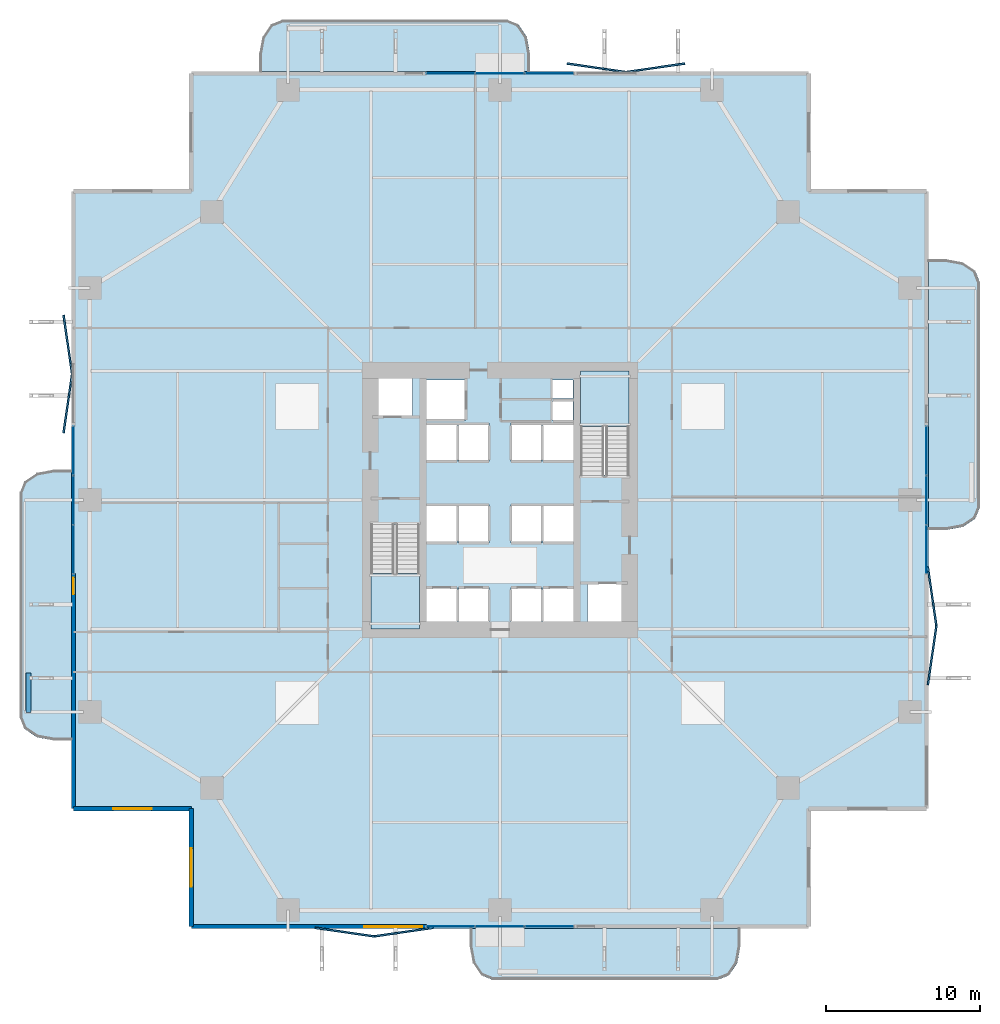
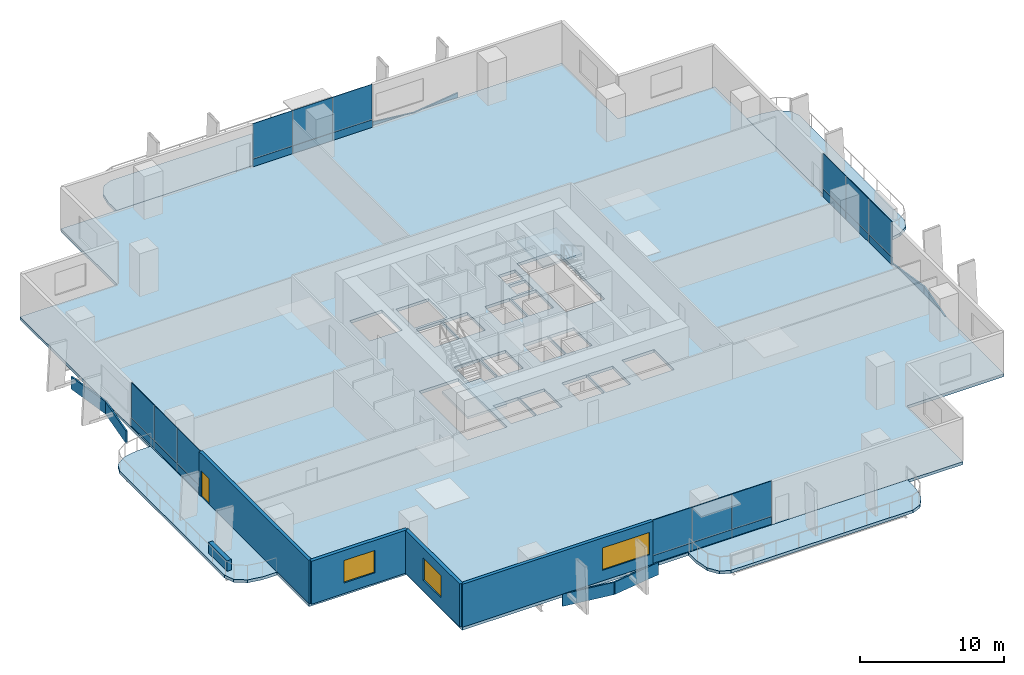
# One storey, part 16 of 23: 32 plates, 7 slabs, 5 walls, 3 windows, 1 door, 4 openings, 6 elements without a shape of their own.
"""IFC4 building model written with IfcOpenShell, lengths in metres."""

from ifc_helpers import new_model, si_unit, direction, frame, frame_2d, origin, origin_2d, place, context, subcontext, project, spatial, polyline, rectangle, outline, extrude, material, layer, layer_set, type_object, element, fill, aggregate, save


model = new_model("IFC4")

# Units and contexts
model_context = context("Model", 3, precision=1e-05, world=origin(), true_north=direction((0.0, 1.0)))
body_context = subcontext(model_context, "Body", "Model", "MODEL_VIEW")
ifc_project = project(units=[si_unit("LENGTHUNIT", "METRE"), si_unit("AREAUNIT", "SQUARE_METRE"), si_unit("VOLUMEUNIT", "CUBIC_METRE"), si_unit("PLANEANGLEUNIT", "RADIAN"), si_unit("MASSUNIT", "GRAM", prefix="KILO")], contexts=[model_context])

# Site, building, storey
site_placement = place(None, origin())
site = spatial("IfcSite", under=ifc_project, at=site_placement, CompositionType="ELEMENT")
building_placement = place(site_placement, origin())
building = spatial("IfcBuilding", under=site, at=building_placement, Name="Belovzor Exchange Tower", CompositionType="ELEMENT")
storey_placement = place(building_placement, frame((0.0, 0.0, 57.300048828125)))
storey = spatial("IfcBuildingStorey", under=building, at=storey_placement, Name="L13", CompositionType="ELEMENT", Elevation=57.300048828125)

# Slab
ifc_material_1 = material(Name="Concrete C40/50", Category="concrete")
ifc_layer_1 = layer(ifc_material_1, 0.25)
ifc_layer_set_1 = layer_set([ifc_layer_1], Name="Concrete C40/50")
slab_type_1 = type_object("IfcSlabType", Name="Composite Concrete Floor Deck Slab 250", PredefinedType="FLOOR", material=ifc_layer_set_1)
slab_1_placement = place(storey_placement, frame((0.0, 0.0, -0.25)))
element("IfcSlab", 1, at=slab_1_placement, inside=storey, type_object=slab_type_1, Name="SL-F250 Structural Slab L13", PredefinedType="FLOOR", context=body_context, shape_type="SweptSolid", body=[
    extrude(outline(polyline([(8.699951171875, 0.89990234375), (48.89990234375, 0.89990234375), (48.89990234375, 8.699951171875), (56.699951171875, 8.699951171875), (56.699951171875, 48.89990234375), (48.89990234375, 48.89990234375), (48.89990234375, 56.699951171875), (8.699951171875, 56.699951171875), (8.699951171875, 48.89990234375), (0.89990234375, 48.89990234375), (0.89990234375, 8.699951171875), (8.699951171875, 8.699951171875), (8.699951171875, 0.89990234375)]), holes=[polyline([(20.39990234375, 27.175048828125), (20.39990234375, 20.39990234375), (23.550048828125, 20.39990234375), (23.550048828125, 27.175048828125), (20.39990234375, 27.175048828125)]), polyline([(37.199951171875, 30.425048828125), (37.199951171875, 37.199951171875), (34.050048828125, 37.199951171875), (34.050048828125, 30.425048828125), (37.199951171875, 30.425048828125)]), polyline([(20.5, 34.199951171875), (23.10009765625, 34.199951171875), (23.10009765625, 37.0), (20.5, 37.0), (20.5, 34.199951171875)]), polyline([(34.5, 20.60009765625), (37.10009765625, 20.60009765625), (37.10009765625, 23.39990234375), (34.5, 23.39990234375), (34.5, 20.60009765625)]), polyline([(24.0, 34.0), (26.60009765625, 34.0), (26.60009765625, 36.60009765625), (24.0, 36.60009765625), (24.0, 34.0)]), polyline([(24.0, 20.60009765625), (26.0, 20.60009765625), (26.0, 23.10009765625), (24.0, 23.10009765625), (24.0, 20.60009765625)]), polyline([(26.10009765625, 20.60009765625), (28.10009765625, 20.60009765625), (28.10009765625, 23.10009765625), (26.10009765625, 23.10009765625), (26.10009765625, 20.60009765625)]), polyline([(29.5, 20.60009765625), (31.5, 20.60009765625), (31.5, 23.10009765625), (29.5, 23.10009765625), (29.5, 20.60009765625)]), polyline([(31.60009765625, 20.60009765625), (33.60009765625, 20.60009765625), (33.60009765625, 23.10009765625), (31.60009765625, 23.10009765625), (31.60009765625, 20.60009765625)]), polyline([(24.0, 26.0), (26.0, 26.0), (26.0, 28.5), (24.0, 28.5), (24.0, 26.0)]), polyline([(26.10009765625, 26.0), (28.10009765625, 26.0), (28.10009765625, 28.5), (26.10009765625, 28.5), (26.10009765625, 26.0)]), polyline([(29.5, 26.0), (31.5, 26.0), (31.5, 28.5), (29.5, 28.5), (29.5, 26.0)]), polyline([(31.60009765625, 26.0), (33.60009765625, 26.0), (33.60009765625, 28.5), (31.60009765625, 28.5), (31.60009765625, 26.0)]), polyline([(24.0, 31.300048828125), (26.0, 31.300048828125), (26.0, 33.800048828125), (24.0, 33.800048828125), (24.0, 31.300048828125)]), polyline([(26.10009765625, 31.300048828125), (28.10009765625, 31.300048828125), (28.10009765625, 33.800048828125), (26.10009765625, 33.800048828125), (26.10009765625, 31.300048828125)]), polyline([(29.5, 31.300048828125), (31.5, 31.300048828125), (31.5, 33.800048828125), (29.5, 33.800048828125), (29.5, 31.300048828125)]), polyline([(31.60009765625, 31.300048828125), (33.60009765625, 31.300048828125), (33.60009765625, 33.800048828125), (31.60009765625, 33.800048828125), (31.60009765625, 31.300048828125)]), polyline([(32.199951171875, 34.0), (33.550048828125, 34.0), (33.550048828125, 35.199951171875), (32.199951171875, 35.199951171875), (32.199951171875, 34.0)]), polyline([(32.199951171875, 35.39990234375), (33.550048828125, 35.39990234375), (33.550048828125, 36.60009765625), (32.199951171875, 36.60009765625), (32.199951171875, 35.39990234375)])]), origin(), (0.0, 0.0, 1.0), 0.25),
])

# Plates
ifc_material_2 = material(Name="Extruded Architectural Terracotta", Category="masonry")
ifc_layer_2 = layer(ifc_material_2, 0.1201171875)
ifc_layer_set_2 = layer_set([ifc_layer_2], Name="Extruded Architectural Terracotta")
plate_type_1 = type_object("IfcPlateType", Name="Folded Zigzag Terracotta Spandrel Louvre 80", PredefinedType="USERDEFINED", material=ifc_layer_set_2)
for number, where, z_axis, x_axis, name in (
    (2, (18.699951171875, 0.6650390625, -1.03515625), (0.0, 0.0, 1.0), (0.989686419138, -0.143250800258, 0.0), "LVR-ZZ1 Zigzag Terracotta Spandrel Louvre L13 S1A"),
    (3, (22.5, 0.6650390625, -1.03515625), (0.0, 0.0, 1.0), (0.989686419138, 0.143250800258, 0.0), "LVR-ZZ1 Zigzag Terracotta Spandrel Louvre L13 S1B"),
    (4, (56.93505859375, 18.699951171875, -1.03515625), (0.0, 0.0, 1.0), (0.143250800258, 0.989686419138, 0.0), "LVR-ZZ1 Zigzag Terracotta Spandrel Louvre L13 E1A"),
    (5, (56.93505859375, 22.5, -1.03515625), (0.0, 0.0, 1.0), (-0.143250800258, 0.989686419138, 0.0), "LVR-ZZ1 Zigzag Terracotta Spandrel Louvre L13 E1B"),
    (6, (35.10009765625, 56.93505859375, -1.03515625), (0.0, 0.0, 1.0), (0.989686419138, -0.143250800258, 0.0), "LVR-ZZ1 Zigzag Terracotta Spandrel Louvre L13 N2A"),
    (7, (38.89990234375, 56.93505859375, -1.03515625), (0.0, 0.0, 1.0), (0.989686419138, 0.143250800258, 0.0), "LVR-ZZ1 Zigzag Terracotta Spandrel Louvre L13 N2B"),
    (8, (0.6650390625, 35.10009765625, -1.03515625), (0.0, 0.0, 1.0), (0.143250800258, 0.989686419138, 0.0), "LVR-ZZ1 Zigzag Terracotta Spandrel Louvre L13 W2A"),
    (9, (0.6650390625, 38.89990234375, -1.03515625), (0.0, 0.0, 1.0), (-0.143250800258, 0.989686419138, 0.0), "LVR-ZZ1 Zigzag Terracotta Spandrel Louvre L13 W2B"),
):
    element("IfcPlate", number, at=place(storey_placement, frame(where, z_axis=z_axis, x_axis=x_axis)), inside=storey, type_object=plate_type_1, Name=name, ObjectType="SPANDREL_LOUVRE", PredefinedType="USERDEFINED", context=body_context, shape_type="SweptSolid", body=[
        extrude(rectangle(XDim=3.919921875, YDim=0.1201171875, at=origin_2d()), origin(), (0.0, 0.0, 1.0), 1.050048828125),
    ])

# Curtain wall, plates
ifc_material_3 = material(Name="Anodised Aluminium Framing", Category="aluminium")
ifc_layer_3 = layer(ifc_material_3, 0.179931640625)
ifc_layer_set_3 = layer_set([ifc_layer_3], Name="Anodised Aluminium Framing")
curtain_wall_type = type_object("IfcCurtainWallType", Name="Recessed Loggia Low-Iron Triple-Glazed Curtain Wall", PredefinedType="NOTDEFINED", material=ifc_layer_set_3)
curtain_wall_1_placement = place(storey_placement, origin())
curtain_wall_1 = element("IfcCurtainWall", 10, at=curtain_wall_1_placement, inside=storey, type_object=curtain_wall_type, Name="CW3 Recessed Loggia Low-Iron Triple-Glazed Curtain Wall L13", PredefinedType="NOTDEFINED")
ifc_material_4 = material(Name="Solar-Control Triple Glazing", Category="glass")
ifc_layer_4 = layer(ifc_material_4, 0.0439453125)
ifc_layer_set_4 = layer_set([ifc_layer_4], Name="Solar-Control Triple Glazing")
plate_type_2 = type_object("IfcPlateType", Name="Insulated Solar Glazing Curtain Panel 44", PredefinedType="CURTAIN_PANEL", material=ifc_layer_set_4)
plate_1_placement = place(storey_placement, frame((32.0, 1.030029296875, 0.65185546875), z_axis=(0.0, 0.0, 1.0), x_axis=(-1.0, 0.0, 0.0)))
plate_1 = element("IfcPlate", 11, at=plate_1_placement, type_object=plate_type_2, Name="GLZ-44 Glazed Curtain Panel 1", PredefinedType="CURTAIN_PANEL", context=body_context, shape_type="SweptSolid", body=[
    extrude(rectangle(XDim=3.18408203125, YDim=0.0439453125, at=origin_2d()), origin(), (0.0, 0.0, 1.0), 2.998046875),
])
plate_2_placement = place(storey_placement, frame((28.800048828125, 1.030029296875, 0.65185546875), z_axis=(0.0, 0.0, 1.0), x_axis=(-1.0, 0.0, 0.0)))
plate_2 = element("IfcPlate", 12, at=plate_2_placement, type_object=plate_type_2, Name="GLZ-44 Glazed Curtain Panel 2", PredefinedType="CURTAIN_PANEL", context=body_context, shape_type="SweptSolid", body=[
    extrude(rectangle(XDim=3.18408203125, YDim=0.0439453125, at=origin_2d()), origin(), (0.0, 0.0, 1.0), 2.998046875),
])
plate_3_placement = place(storey_placement, frame((25.60009765625, 1.030029296875, 0.65185546875), z_axis=(0.0, 0.0, 1.0), x_axis=(-1.0, 0.0, 0.0)))
plate_3 = element("IfcPlate", 13, at=plate_3_placement, type_object=plate_type_2, Name="GLZ-44 Glazed Curtain Panel 3", PredefinedType="CURTAIN_PANEL", context=body_context, shape_type="SweptSolid", body=[
    extrude(rectangle(XDim=3.18408203125, YDim=0.0439453125, at=origin_2d()), origin(), (0.0, 0.0, 1.0), 2.998046875),
])

curtain_wall_2_placement = place(storey_placement, origin())
curtain_wall_2 = element("IfcCurtainWall", 14, at=curtain_wall_2_placement, inside=storey, type_object=curtain_wall_type, Name="CW3 Recessed Loggia Low-Iron Triple-Glazed Curtain Wall L13", PredefinedType="NOTDEFINED")
plate_4_placement = place(storey_placement, frame((25.60009765625, 56.570068359375, 0.65185546875), z_axis=(0.0, 0.0, 1.0), x_axis=(1.0, 0.0, 0.0)))
plate_4 = element("IfcPlate", 15, at=plate_4_placement, type_object=plate_type_2, Name="GLZ-44 Glazed Curtain Panel 1", PredefinedType="CURTAIN_PANEL", context=body_context, shape_type="SweptSolid", body=[
    extrude(rectangle(XDim=3.18408203125, YDim=0.0439453125, at=origin_2d()), origin(), (0.0, 0.0, 1.0), 2.998046875),
])
plate_5_placement = place(storey_placement, frame((28.800048828125, 56.570068359375, 0.65185546875), z_axis=(0.0, 0.0, 1.0), x_axis=(1.0, 0.0, 0.0)))
plate_5 = element("IfcPlate", 16, at=plate_5_placement, type_object=plate_type_2, Name="GLZ-44 Glazed Curtain Panel 2", PredefinedType="CURTAIN_PANEL", context=body_context, shape_type="SweptSolid", body=[
    extrude(rectangle(XDim=3.18408203125, YDim=0.0439453125, at=origin_2d()), origin(), (0.0, 0.0, 1.0), 2.998046875),
])
plate_6_placement = place(storey_placement, frame((32.0, 56.570068359375, 0.65185546875), z_axis=(0.0, 0.0, 1.0), x_axis=(1.0, 0.0, 0.0)))
plate_6 = element("IfcPlate", 17, at=plate_6_placement, type_object=plate_type_2, Name="GLZ-44 Glazed Curtain Panel 3", PredefinedType="CURTAIN_PANEL", context=body_context, shape_type="SweptSolid", body=[
    extrude(rectangle(XDim=3.18408203125, YDim=0.0439453125, at=origin_2d()), origin(), (0.0, 0.0, 1.0), 2.998046875),
])

curtain_wall_3_placement = place(storey_placement, origin())
curtain_wall_3 = element("IfcCurtainWall", 18, at=curtain_wall_3_placement, inside=storey, type_object=curtain_wall_type, Name="CW3 Recessed Loggia Low-Iron Triple-Glazed Curtain Wall L13", PredefinedType="NOTDEFINED")
plate_7_placement = place(storey_placement, frame((1.030029296875, 25.60009765625, 0.65185546875), z_axis=(0.0, 0.0, 1.0), x_axis=(0.0, 1.0, 0.0)))
plate_7 = element("IfcPlate", 19, at=plate_7_placement, type_object=plate_type_2, Name="GLZ-44 Glazed Curtain Panel 1", PredefinedType="CURTAIN_PANEL", context=body_context, shape_type="SweptSolid", body=[
    extrude(rectangle(XDim=3.18408203125, YDim=0.0439453125, at=origin_2d()), origin(), (0.0, 0.0, 1.0), 2.998046875),
])
plate_8_placement = place(storey_placement, frame((1.030029296875, 28.800048828125, 0.65185546875), z_axis=(0.0, 0.0, 1.0), x_axis=(0.0, 1.0, 0.0)))
plate_8 = element("IfcPlate", 20, at=plate_8_placement, type_object=plate_type_2, Name="GLZ-44 Glazed Curtain Panel 2", PredefinedType="CURTAIN_PANEL", context=body_context, shape_type="SweptSolid", body=[
    extrude(rectangle(XDim=3.18408203125, YDim=0.0439453125, at=origin_2d()), origin(), (0.0, 0.0, 1.0), 2.998046875),
])
plate_9_placement = place(storey_placement, frame((1.030029296875, 32.0, 0.65185546875), z_axis=(0.0, 0.0, 1.0), x_axis=(0.0, 1.0, 0.0)))
plate_9 = element("IfcPlate", 21, at=plate_9_placement, type_object=plate_type_2, Name="GLZ-44 Glazed Curtain Panel 3", PredefinedType="CURTAIN_PANEL", context=body_context, shape_type="SweptSolid", body=[
    extrude(rectangle(XDim=3.18408203125, YDim=0.0439453125, at=origin_2d()), origin(), (0.0, 0.0, 1.0), 2.998046875),
])

curtain_wall_4_placement = place(storey_placement, origin())
curtain_wall_4 = element("IfcCurtainWall", 22, at=curtain_wall_4_placement, inside=storey, type_object=curtain_wall_type, Name="CW3 Recessed Loggia Low-Iron Triple-Glazed Curtain Wall L13", PredefinedType="NOTDEFINED")
plate_10_placement = place(storey_placement, frame((56.570068359375, 32.0, 0.65185546875), z_axis=(0.0, 0.0, 1.0), x_axis=(0.0, -1.0, 0.0)))
plate_10 = element("IfcPlate", 23, at=plate_10_placement, type_object=plate_type_2, Name="GLZ-44 Glazed Curtain Panel 1", PredefinedType="CURTAIN_PANEL", context=body_context, shape_type="SweptSolid", body=[
    extrude(rectangle(XDim=3.18408203125, YDim=0.0439453125, at=origin_2d()), origin(), (0.0, 0.0, 1.0), 2.998046875),
])
plate_11_placement = place(storey_placement, frame((56.570068359375, 28.800048828125, 0.65185546875), z_axis=(0.0, 0.0, 1.0), x_axis=(0.0, -1.0, 0.0)))
plate_11 = element("IfcPlate", 24, at=plate_11_placement, type_object=plate_type_2, Name="GLZ-44 Glazed Curtain Panel 2", PredefinedType="CURTAIN_PANEL", context=body_context, shape_type="SweptSolid", body=[
    extrude(rectangle(XDim=3.18408203125, YDim=0.0439453125, at=origin_2d()), origin(), (0.0, 0.0, 1.0), 2.998046875),
])
plate_12_placement = place(storey_placement, frame((56.570068359375, 25.60009765625, 0.65185546875), z_axis=(0.0, 0.0, 1.0), x_axis=(0.0, -1.0, 0.0)))
plate_12 = element("IfcPlate", 25, at=plate_12_placement, type_object=plate_type_2, Name="GLZ-44 Glazed Curtain Panel 3", PredefinedType="CURTAIN_PANEL", context=body_context, shape_type="SweptSolid", body=[
    extrude(rectangle(XDim=3.18408203125, YDim=0.0439453125, at=origin_2d()), origin(), (0.0, 0.0, 1.0), 2.998046875),
])

# Stair, slab
ifc_material_5 = material(Name="Concrete C40/50", Category="concrete")
stair_type = type_object("IfcStairType", Name="Reinforced Concrete Dogleg Escape Stair 1350", PredefinedType="HALF_TURN_STAIR", material=ifc_material_5)
stair_1_placement = place(storey_placement, origin())
stair_1 = element("IfcStair", 26, at=stair_1_placement, inside=storey, type_object=stair_type, Name="L13 ST-1", PredefinedType="HALF_TURN_STAIR")
ifc_material_6 = material(Name="Concrete C40/50", Category="concrete")
ifc_layer_5 = layer(ifc_material_6, 0.199951171875)
ifc_layer_set_5 = layer_set([ifc_layer_5], Name="Concrete C40/50")
slab_type_2 = type_object("IfcSlabType", Name="Reinforced Concrete Stair Half-Landing Slab 200", PredefinedType="LANDING", material=ifc_layer_set_5)
slab_2_placement = place(storey_placement, frame((0.0, 0.0, 1.75)))
slab_2 = element("IfcSlab", 27, at=slab_2_placement, type_object=slab_type_2, Name="ST-1 landing 1", PredefinedType="LANDING", context=body_context, shape_type="SweptSolid", body=[
    extrude(outline(polyline([(20.39990234375, 24.010009765625), (20.39990234375, 20.39990234375), (23.550048828125, 20.39990234375), (23.550048828125, 24.010009765625), (20.39990234375, 24.010009765625)])), origin(), (0.0, 0.0, 1.0), 0.199951171875),
])
aggregate(stair_1, [slab_2])

stair_2_placement = place(storey_placement, origin())
stair_2 = element("IfcStair", 28, at=stair_2_placement, inside=storey, type_object=stair_type, Name="L13 ST-2", PredefinedType="HALF_TURN_STAIR")
slab_3_placement = place(storey_placement, frame((0.0, 0.0, 1.75)))
slab_3 = element("IfcSlab", 29, at=slab_3_placement, type_object=slab_type_2, Name="ST-2 landing 1", PredefinedType="LANDING", context=body_context, shape_type="SweptSolid", body=[
    extrude(outline(polyline([(37.199951171875, 33.590087890625), (37.199951171875, 37.199951171875), (34.050048828125, 37.199951171875), (34.050048828125, 33.590087890625), (37.199951171875, 33.590087890625)])), origin(), (0.0, 0.0, 1.0), 0.199951171875),
])
aggregate(stair_2, [slab_3])

# Plate
ifc_material_7 = material(Name="Extruded Architectural Terracotta", Category="masonry")
ifc_layer_6 = layer(ifc_material_7, 0.090087890625)
ifc_layer_set_6 = layer_set([ifc_layer_6], Name="Extruded Architectural Terracotta")
plate_type_3 = type_object("IfcPlateType", Name="Terracotta Shadow-Box Spandrel Panel 90", PredefinedType="CURTAIN_PANEL", material=ifc_layer_set_6)
plate_13_placement = place(storey_placement, frame((32.0, 1.030029296875, 0.0), z_axis=(0.0, 0.0, 1.0), x_axis=(-1.0, 0.0, 0.0)))
plate_13 = element("IfcPlate", 30, at=plate_13_placement, type_object=plate_type_3, Name="SPD-90 Spandrel Panel 1", PredefinedType="CURTAIN_PANEL", context=body_context, shape_type="SweptSolid", body=[
    extrude(rectangle(XDim=3.18408203125, YDim=0.090087890625, at=origin_2d()), origin(), (0.0, 0.0, 1.0), 0.64794921875),
])

plate_14_placement = place(storey_placement, frame((28.800048828125, 1.030029296875, 0.0), z_axis=(0.0, 0.0, 1.0), x_axis=(-1.0, 0.0, 0.0)))
plate_14 = element("IfcPlate", 31, at=plate_14_placement, type_object=plate_type_3, Name="SPD-90 Spandrel Panel 2", PredefinedType="CURTAIN_PANEL", context=body_context, shape_type="SweptSolid", body=[
    extrude(rectangle(XDim=3.18408203125, YDim=0.090087890625, at=origin_2d()), origin(), (0.0, 0.0, 1.0), 0.64794921875),
])

plate_15_placement = place(storey_placement, frame((25.60009765625, 1.030029296875, 0.0), z_axis=(0.0, 0.0, 1.0), x_axis=(-1.0, 0.0, 0.0)))
plate_15 = element("IfcPlate", 32, at=plate_15_placement, type_object=plate_type_3, Name="SPD-90 Spandrel Panel 3", PredefinedType="CURTAIN_PANEL", context=body_context, shape_type="SweptSolid", body=[
    extrude(rectangle(XDim=3.18408203125, YDim=0.090087890625, at=origin_2d()), origin(), (0.0, 0.0, 1.0), 0.64794921875),
])

aggregate(curtain_wall_1, [plate_13, plate_1, plate_14, plate_2, plate_15, plate_3])

plate_16_placement = place(storey_placement, frame((25.60009765625, 56.570068359375, 0.0), z_axis=(0.0, 0.0, 1.0), x_axis=(1.0, 0.0, 0.0)))
plate_16 = element("IfcPlate", 33, at=plate_16_placement, type_object=plate_type_3, Name="SPD-90 Spandrel Panel 1", PredefinedType="CURTAIN_PANEL", context=body_context, shape_type="SweptSolid", body=[
    extrude(rectangle(XDim=3.18408203125, YDim=0.090087890625, at=origin_2d()), origin(), (0.0, 0.0, 1.0), 0.64794921875),
])

plate_17_placement = place(storey_placement, frame((28.800048828125, 56.570068359375, 0.0), z_axis=(0.0, 0.0, 1.0), x_axis=(1.0, 0.0, 0.0)))
plate_17 = element("IfcPlate", 34, at=plate_17_placement, type_object=plate_type_3, Name="SPD-90 Spandrel Panel 2", PredefinedType="CURTAIN_PANEL", context=body_context, shape_type="SweptSolid", body=[
    extrude(rectangle(XDim=3.18408203125, YDim=0.090087890625, at=origin_2d()), origin(), (0.0, 0.0, 1.0), 0.64794921875),
])

plate_18_placement = place(storey_placement, frame((32.0, 56.570068359375, 0.0), z_axis=(0.0, 0.0, 1.0), x_axis=(1.0, 0.0, 0.0)))
plate_18 = element("IfcPlate", 35, at=plate_18_placement, type_object=plate_type_3, Name="SPD-90 Spandrel Panel 3", PredefinedType="CURTAIN_PANEL", context=body_context, shape_type="SweptSolid", body=[
    extrude(rectangle(XDim=3.18408203125, YDim=0.090087890625, at=origin_2d()), origin(), (0.0, 0.0, 1.0), 0.64794921875),
])

aggregate(curtain_wall_2, [plate_16, plate_4, plate_17, plate_5, plate_18, plate_6])

plate_19_placement = place(storey_placement, frame((1.030029296875, 25.60009765625, 0.0), z_axis=(0.0, 0.0, 1.0), x_axis=(0.0, 1.0, 0.0)))
plate_19 = element("IfcPlate", 36, at=plate_19_placement, type_object=plate_type_3, Name="SPD-90 Spandrel Panel 1", PredefinedType="CURTAIN_PANEL", context=body_context, shape_type="SweptSolid", body=[
    extrude(rectangle(XDim=3.18408203125, YDim=0.090087890625, at=origin_2d()), origin(), (0.0, 0.0, 1.0), 0.64794921875),
])

plate_20_placement = place(storey_placement, frame((1.030029296875, 28.800048828125, 0.0), z_axis=(0.0, 0.0, 1.0), x_axis=(0.0, 1.0, 0.0)))
plate_20 = element("IfcPlate", 37, at=plate_20_placement, type_object=plate_type_3, Name="SPD-90 Spandrel Panel 2", PredefinedType="CURTAIN_PANEL", context=body_context, shape_type="SweptSolid", body=[
    extrude(rectangle(XDim=3.18408203125, YDim=0.090087890625, at=origin_2d()), origin(), (0.0, 0.0, 1.0), 0.64794921875),
])

plate_21_placement = place(storey_placement, frame((1.030029296875, 32.0, 0.0), z_axis=(0.0, 0.0, 1.0), x_axis=(0.0, 1.0, 0.0)))
plate_21 = element("IfcPlate", 38, at=plate_21_placement, type_object=plate_type_3, Name="SPD-90 Spandrel Panel 3", PredefinedType="CURTAIN_PANEL", context=body_context, shape_type="SweptSolid", body=[
    extrude(rectangle(XDim=3.18408203125, YDim=0.090087890625, at=origin_2d()), origin(), (0.0, 0.0, 1.0), 0.64794921875),
])

aggregate(curtain_wall_3, [plate_19, plate_7, plate_20, plate_8, plate_21, plate_9])

plate_22_placement = place(storey_placement, frame((56.570068359375, 32.0, 0.0), z_axis=(0.0, 0.0, 1.0), x_axis=(0.0, -1.0, 0.0)))
plate_22 = element("IfcPlate", 39, at=plate_22_placement, type_object=plate_type_3, Name="SPD-90 Spandrel Panel 1", PredefinedType="CURTAIN_PANEL", context=body_context, shape_type="SweptSolid", body=[
    extrude(rectangle(XDim=3.18408203125, YDim=0.090087890625, at=origin_2d()), origin(), (0.0, 0.0, 1.0), 0.64794921875),
])

plate_23_placement = place(storey_placement, frame((56.570068359375, 28.800048828125, 0.0), z_axis=(0.0, 0.0, 1.0), x_axis=(0.0, -1.0, 0.0)))
plate_23 = element("IfcPlate", 40, at=plate_23_placement, type_object=plate_type_3, Name="SPD-90 Spandrel Panel 2", PredefinedType="CURTAIN_PANEL", context=body_context, shape_type="SweptSolid", body=[
    extrude(rectangle(XDim=3.18408203125, YDim=0.090087890625, at=origin_2d()), origin(), (0.0, 0.0, 1.0), 0.64794921875),
])

plate_24_placement = place(storey_placement, frame((56.570068359375, 25.60009765625, 0.0), z_axis=(0.0, 0.0, 1.0), x_axis=(0.0, -1.0, 0.0)))
plate_24 = element("IfcPlate", 41, at=plate_24_placement, type_object=plate_type_3, Name="SPD-90 Spandrel Panel 3", PredefinedType="CURTAIN_PANEL", context=body_context, shape_type="SweptSolid", body=[
    extrude(rectangle(XDim=3.18408203125, YDim=0.090087890625, at=origin_2d()), origin(), (0.0, 0.0, 1.0), 0.64794921875),
])

aggregate(curtain_wall_4, [plate_22, plate_10, plate_23, plate_11, plate_24, plate_12])

# Slabs
ifc_material_8 = material(Name="Concrete C40/50", Category="concrete")
ifc_layer_7 = layer(ifc_material_8, 0.25)
ifc_layer_set_7 = layer_set([ifc_layer_7], Name="Concrete C40/50")
slab_type_3 = type_object("IfcSlabType", Name="Thermally Broken Planted Balcony Slab 250", PredefinedType="FLOOR", material=ifc_layer_set_7)
slab_4_placement = place(storey_placement, frame((0.0, 0.0, -0.25)))
element("IfcSlab", 42, at=slab_4_placement, inside=storey, type_object=slab_type_3, Name="SL-BAL220 Planted Balcony Loggia L13 South", PredefinedType="FLOOR", context=body_context, shape_type="SweptSolid", body=[
    extrude(outline(polyline([(26.85009765625, 0.9150390625), (26.85009765625, -0.25), (27.051025390625, -1.35009765625), (27.60009765625, -2.155029296875), (28.35009765625, -2.449951171875), (42.949951171875, -2.449951171875), (43.699951171875, -2.155029296875), (44.2490234375, -1.35009765625), (44.449951171875, -0.25), (44.449951171875, 0.9150390625), (26.85009765625, 0.9150390625)])), origin(), (0.0, 0.0, 1.0), 0.25),
])
slab_5_placement = place(storey_placement, frame((0.0, 0.0, -0.25)))
element("IfcSlab", 43, at=slab_5_placement, inside=storey, type_object=slab_type_3, Name="SL-BAL220 Planted Balcony Loggia L13 North", PredefinedType="FLOOR", context=body_context, shape_type="SweptSolid", body=[
    extrude(outline(polyline([(30.75, 56.68505859375), (30.75, 57.85009765625), (30.549072265625, 58.949951171875), (30.0, 59.7548828125), (29.25, 60.050048828125), (14.64990234375, 60.050048828125), (13.89990234375, 59.7548828125), (13.35107421875, 58.949951171875), (13.14990234375, 57.85009765625), (13.14990234375, 56.68505859375), (30.75, 56.68505859375)])), origin(), (0.0, 0.0, 1.0), 0.25),
])
slab_6_placement = place(storey_placement, frame((0.0, 0.0, -0.25)))
element("IfcSlab", 44, at=slab_6_placement, inside=storey, type_object=slab_type_3, Name="SL-BAL220 Planted Balcony Loggia L13 East", PredefinedType="FLOOR", context=body_context, shape_type="SweptSolid", body=[
    extrude(outline(polyline([(56.68505859375, 26.85009765625), (57.85009765625, 26.85009765625), (58.949951171875, 27.051025390625), (59.7548828125, 27.60009765625), (60.050048828125, 28.35009765625), (60.050048828125, 42.949951171875), (59.7548828125, 43.699951171875), (58.949951171875, 44.2490234375), (57.85009765625, 44.449951171875), (56.68505859375, 44.449951171875), (56.68505859375, 26.85009765625)])), origin(), (0.0, 0.0, 1.0), 0.25),
])
slab_7_placement = place(storey_placement, frame((0.0, 0.0, -0.25)))
element("IfcSlab", 45, at=slab_7_placement, inside=storey, type_object=slab_type_3, Name="SL-BAL220 Planted Balcony Loggia L13 West", PredefinedType="FLOOR", context=body_context, shape_type="SweptSolid", body=[
    extrude(outline(polyline([(0.9150390625, 30.75), (-0.25, 30.75), (-1.35009765625, 30.549072265625), (-2.155029296875, 30.0), (-2.449951171875, 29.25), (-2.449951171875, 14.64990234375), (-2.155029296875, 13.89990234375), (-1.35009765625, 13.35107421875), (-0.25, 13.14990234375), (0.9150390625, 13.14990234375), (0.9150390625, 30.75)])), origin(), (0.0, 0.0, 1.0), 0.25),
])

# Wall, opening, window
ifc_material_9 = material(Name="Precast concrete C40/50", Category="concrete")
ifc_layer_8 = layer(ifc_material_9, 0.280029296875)
ifc_layer_set_8 = layer_set([ifc_layer_8], Name="Precast concrete C40/50")
wall_type_1 = type_object("IfcWallType", Name="Precast Concrete Notched Corner Frame Wall 280", PredefinedType="SOLIDWALL", material=ifc_layer_set_8)
wall_1_placement = place(storey_placement, frame((8.699951171875, 1.030029296875, 0.0), z_axis=(0.0, 0.0, 1.0), x_axis=(0.0, 1.0, 0.0)))
wall_1 = element("IfcWall", 46, at=wall_1_placement, inside=storey, type_object=wall_type_1, Name="W-CRN280 Precast Concrete Notched Corner Frame Wall 280 L13", PredefinedType="SOLIDWALL", context=body_context, shape_type="SweptSolid", body=[
    extrude(rectangle(XDim=7.669921875, YDim=0.280029296875, at=frame_2d((3.8349609375, 0.0))), origin(), (0.0, 0.0, 1.0), 3.64990234375),
])
opening_1_placement = place(wall_1_placement, frame((2.5849609375, 0.0, 0.89990234375)))
opening_1 = element("IfcOpeningElement", 47, at=opening_1_placement, cuts=wall_1, Name="Opening WN-CRN250", PredefinedType="OPENING", context=body_context, shape_type="SweptSolid", body=[
    extrude(rectangle(XDim=2.5, YDim=1.89990234375, at=frame_2d((1.25, 0.949951171875))), frame((0.0, 0.14990234375, 0.0), z_axis=(0.0, -1.0, 0.0), x_axis=(1.0, 0.0, 0.0)), (0.0, 0.0, 1.0), 0.300048828125),
])
ifc_material_10 = material(Name="Thermally Broken Aluminium and Triple Glazing", Category="aluminium")
window_type_1 = type_object("IfcWindowType", Name="Streamline Moderne Corner Wrap Ribbon Window 2500x1900", PartitioningType="SINGLE_PANEL", PredefinedType="WINDOW", material=ifc_material_10)
window_1_placement = place(opening_1_placement, origin())
window_1 = element("IfcWindow", 48, at=window_1_placement, inside=storey, type_object=window_type_1, Name="WN-CRN250 Streamline Moderne Corner Wrap Ribbon Window 2500x1900", OverallHeight=1.89990234375, OverallWidth=2.5, PartitioningType="SINGLE_PANEL", PredefinedType="WINDOW", context=body_context, shape_type="SweptSolid", body=[
    extrude(rectangle(XDim=2.5, YDim=1.89990234375, at=frame_2d((1.25, 0.949951171875))), frame((0.0, 0.030029296875, 0.0), z_axis=(0.0, -1.0, 0.0), x_axis=(1.0, 0.0, 0.0)), (0.0, 0.0, 1.0), 0.06005859375),
])
fill(opening_1, window_1)

wall_2_placement = place(storey_placement, frame((8.699951171875, 8.699951171875, 0.0), z_axis=(0.0, 0.0, 1.0), x_axis=(-1.0, 0.0, 0.0)))
wall_2 = element("IfcWall", 49, at=wall_2_placement, inside=storey, type_object=wall_type_1, Name="W-CRN280 Precast Concrete Notched Corner Frame Wall 280 L13", PredefinedType="SOLIDWALL", context=body_context, shape_type="SweptSolid", body=[
    extrude(rectangle(XDim=7.669921875, YDim=0.280029296875, at=frame_2d((3.8349609375, 0.0))), origin(), (0.0, 0.0, 1.0), 3.64990234375),
])
opening_2_placement = place(wall_2_placement, frame((2.5849609375, 0.0, 0.89990234375)))
opening_2 = element("IfcOpeningElement", 50, at=opening_2_placement, cuts=wall_2, Name="Opening WN-CRN250", PredefinedType="OPENING", context=body_context, shape_type="SweptSolid", body=[
    extrude(rectangle(XDim=2.5, YDim=1.89990234375, at=frame_2d((1.25, 0.949951171875))), frame((0.0, 0.14990234375, 0.0), z_axis=(0.0, -1.0, 0.0), x_axis=(1.0, 0.0, 0.0)), (0.0, 0.0, 1.0), 0.300048828125),
])
window_2_placement = place(opening_2_placement, origin())
window_2 = element("IfcWindow", 51, at=window_2_placement, inside=storey, type_object=window_type_1, Name="WN-CRN250 Streamline Moderne Corner Wrap Ribbon Window 2500x1900", OverallHeight=1.89990234375, OverallWidth=2.5, PartitioningType="SINGLE_PANEL", PredefinedType="WINDOW", context=body_context, shape_type="SweptSolid", body=[
    extrude(rectangle(XDim=2.5, YDim=1.89990234375, at=frame_2d((1.25, 0.949951171875))), frame((0.0, 0.030029296875, 0.0), z_axis=(0.0, -1.0, 0.0), x_axis=(1.0, 0.0, 0.0)), (0.0, 0.0, 1.0), 0.06005859375),
])
fill(opening_2, window_2)

ifc_material_11 = material(Name="Precast concrete C40/50", Category="concrete")
ifc_layer_9 = layer(ifc_material_11, 0.260009765625)
ifc_layer_set_9 = layer_set([ifc_layer_9], Name="Precast concrete C40/50")
wall_type_2 = type_object("IfcWallType", Name="Precast Concrete Perimeter Loggia Frame Wall 260", PredefinedType="SOLIDWALL", material=ifc_layer_set_9)
wall_3_placement = place(storey_placement, frame((24.0, 1.030029296875, 0.0), z_axis=(0.0, 0.0, 1.0), x_axis=(-1.0, 0.0, 0.0)))
wall_3 = element("IfcWall", 52, at=wall_3_placement, inside=storey, type_object=wall_type_2, Name="W-EXT260 Precast Concrete Perimeter Loggia Frame Wall 260 L13", PredefinedType="SOLIDWALL", context=body_context, shape_type="SweptSolid", body=[
    extrude(rectangle(XDim=15.300048828125, YDim=0.260009765625, at=frame_2d((7.64990234375, 0.0))), origin(), (0.0, 0.0, 1.0), 3.64990234375),
])
opening_3_placement = place(wall_3_placement, frame((0.25, 0.0, 0.89990234375)))
opening_3 = element("IfcOpeningElement", 53, at=opening_3_placement, cuts=wall_3, Name="Opening WN-RIB380", PredefinedType="OPENING", context=body_context, shape_type="SweptSolid", body=[
    extrude(rectangle(XDim=3.800048828125, YDim=1.89990234375, at=frame_2d((1.89990234375, 0.949951171875))), frame((0.0, 0.139892578125, 0.0), z_axis=(0.0, -1.0, 0.0), x_axis=(1.0, 0.0, 0.0)), (0.0, 0.0, 1.0), 0.280029296875),
])
ifc_material_12 = material(Name="Thermally Broken Aluminium and Triple Glazing", Category="aluminium")
window_type_2 = type_object("IfcWindowType", Name="Streamline Moderne Horizontal Ribbon Window 3800x1900", PartitioningType="SINGLE_PANEL", PredefinedType="WINDOW", material=ifc_material_12)
window_3_placement = place(opening_3_placement, origin())
window_3 = element("IfcWindow", 54, at=window_3_placement, inside=storey, type_object=window_type_2, Name="WN-RIB380 Streamline Moderne Horizontal Ribbon Window 3800x1900", OverallHeight=1.89990234375, OverallWidth=3.800048828125, PartitioningType="SINGLE_PANEL", PredefinedType="WINDOW", context=body_context, shape_type="SweptSolid", body=[
    extrude(rectangle(XDim=3.800048828125, YDim=1.89990234375, at=frame_2d((1.89990234375, 0.949951171875))), frame((0.0, 0.030029296875, 0.0), z_axis=(0.0, -1.0, 0.0), x_axis=(1.0, 0.0, 0.0)), (0.0, 0.0, 1.0), 0.06005859375),
])
fill(opening_3, window_3)

# Wall, opening, door
wall_4_placement = place(storey_placement, frame((1.030029296875, 8.699951171875, 0.0), z_axis=(0.0, 0.0, 1.0), x_axis=(0.0, 1.0, 0.0)))
wall_4 = element("IfcWall", 55, at=wall_4_placement, inside=storey, type_object=wall_type_2, Name="W-EXT260 Precast Concrete Perimeter Loggia Frame Wall 260 L13", PredefinedType="SOLIDWALL", context=body_context, shape_type="SweptSolid", body=[
    extrude(rectangle(XDim=15.300048828125, YDim=0.260009765625, at=frame_2d((7.64990234375, 0.0))), origin(), (0.0, 0.0, 1.0), 3.64990234375),
])
opening_4_placement = place(wall_4_placement, frame((13.949951171875, 0.0, 0.0)))
opening_4 = element("IfcOpeningElement", 56, at=opening_4_placement, cuts=wall_4, Name="Opening D-BAL110", PredefinedType="OPENING", context=body_context, shape_type="SweptSolid", body=[
    extrude(rectangle(XDim=1.10009765625, YDim=2.199951171875, at=frame_2d((0.550048828125, 1.10009765625))), frame((0.0, 0.139892578125, 0.0), z_axis=(0.0, -1.0, 0.0), x_axis=(1.0, 0.0, 0.0)), (0.0, 0.0, 1.0), 0.280029296875),
])
ifc_material_13 = material(Name="Thermally Broken Anodised Aluminium and Laminated Glass", Category="aluminium")
door_type = type_object("IfcDoorType", Name="Planted Loggia Terrace Glazed Door 1100x2200", OperationType="SINGLE_SWING_LEFT", PredefinedType="DOOR", material=ifc_material_13)
door_placement = place(opening_4_placement, origin())
door = element("IfcDoor", 57, at=door_placement, inside=storey, type_object=door_type, Name="D-BAL110 Balcony Terrace Door L13 W", OperationType="SINGLE_SWING_RIGHT", OverallHeight=2.199951171875, OverallWidth=1.10009765625, PredefinedType="DOOR", context=body_context, shape_type="SweptSolid", body=[
    extrude(rectangle(XDim=1.10009765625, YDim=2.199951171875, at=frame_2d((0.550048828125, 1.10009765625))), frame((0.0, 0.02490234375, 0.0), z_axis=(0.0, -1.0, 0.0), x_axis=(1.0, 0.0, 0.0)), (0.0, 0.0, 1.0), 0.050048828125),
])
fill(opening_4, door)

# Wall
ifc_material_14 = material(Name="Precast concrete C40/50", Category="concrete")
ifc_layer_10 = layer(ifc_material_14, 0.35009765625)
ifc_layer_set_10 = layer_set([ifc_layer_10], Name="Precast concrete C40/50")
wall_type_3 = type_object("IfcWallType", Name="Precast Concrete Structural Tree Planter Trough 350", PredefinedType="PARAPET", material=ifc_layer_set_10)
wall_5_placement = place(storey_placement, frame((-1.89990234375, 14.949951171875, 0.0), z_axis=(0.0, 0.0, 1.0), x_axis=(0.0, 1.0, 0.0)))
element("IfcWall", 58, at=wall_5_placement, inside=storey, type_object=wall_type_3, Name="PT-350 Precast Concrete Structural Tree Planter Trough 350 L13", PredefinedType="PARAPET", context=body_context, shape_type="SweptSolid", body=[
    extrude(rectangle(XDim=2.60009765625, YDim=0.35009765625, at=frame_2d((1.300048828125, 0.0))), origin(), (0.0, 0.0, 1.0), 0.89990234375),
])

save(model, "model.ifc")
